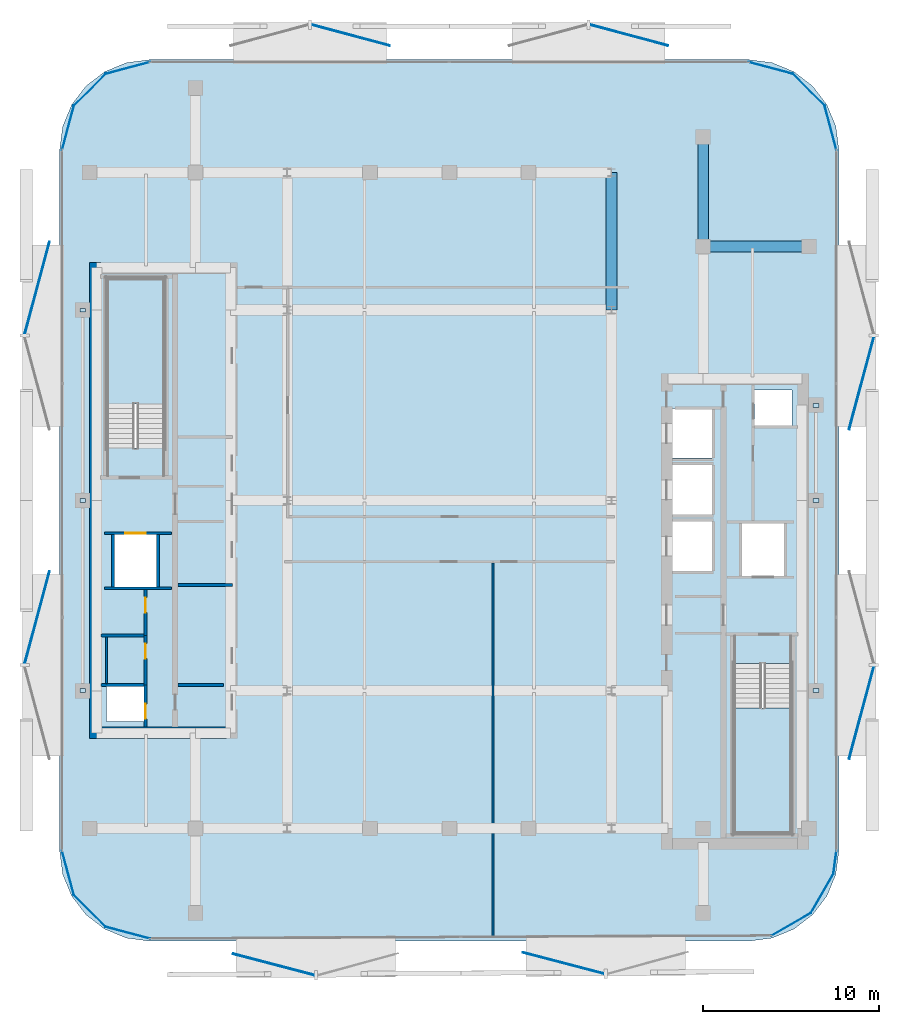
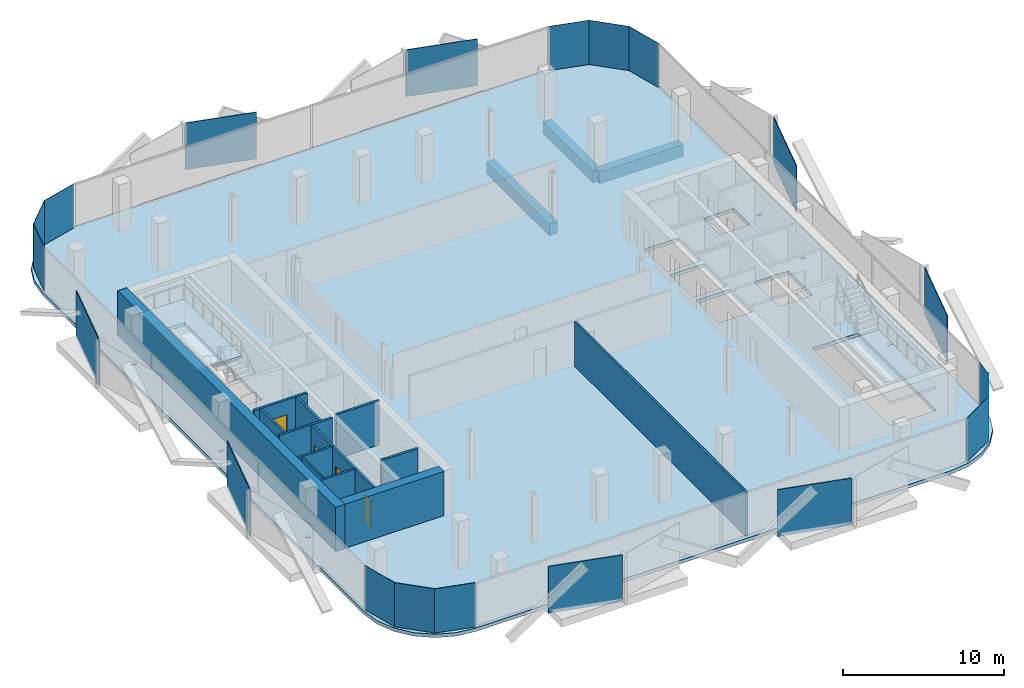
# One storey, part 2 of 11: 26 plates, 15 walls, 4 doors, 3 beams, 3 slabs, 4 openings, 2 elements without a shape of their own.
"""IFC4 building model written with IfcOpenShell, lengths in metres."""

from ifc_helpers import new_model, si_unit, direction, frame, frame_2d, origin, origin_2d, place, context, subcontext, project, spatial, polyline, rectangle, outline, extrude, material, layer, layer_set, material_profile, profile_set, type_object, element, fill, aggregate, save


model = new_model("IFC4")

# Units and contexts
model_context = context("Model", 3, precision=1e-05, world=origin(), true_north=direction((0.0, 1.0)))
body_context = subcontext(model_context, "Body", "Model", "MODEL_VIEW")
ifc_project = project(units=[si_unit("LENGTHUNIT", "METRE"), si_unit("AREAUNIT", "SQUARE_METRE"), si_unit("VOLUMEUNIT", "CUBIC_METRE"), si_unit("PLANEANGLEUNIT", "RADIAN"), si_unit("MASSUNIT", "GRAM", prefix="KILO")], contexts=[model_context])

# Site, building, storey
site_placement = place(None, origin())
site = spatial("IfcSite", under=ifc_project, at=site_placement, CompositionType="ELEMENT")
building_placement = place(site_placement, origin())
building = spatial("IfcBuilding", under=site, at=building_placement, Name="Khairoan Windgate Tower", CompositionType="ELEMENT")
storey_placement = place(building_placement, frame((0.0, 0.0, 222.39990234375)))
storey = spatial("IfcBuildingStorey", under=building, at=storey_placement, Name="L51", CompositionType="ELEMENT", Elevation=222.39990234375)

# Beams
ifc_material_1 = material(Name="Concrete C50/60", Category="concrete")
ifc_material_profile = material_profile(ifc_material_1, rectangle(XDim=0.60009765625, YDim=0.89990234375, at=origin_2d()))
ifc_profile_set = profile_set([ifc_material_profile], Name="Concrete C50/60")
beam_type = type_object("IfcBeamType", Name="Beam B-RC1 RC600x900", PredefinedType="BEAM", material=ifc_profile_set)
beam_1_placement = place(storey_placement, frame((14.39990234375, 14.39990234375, -0.7099609375), z_axis=(1.0, 0.0, 0.0), x_axis=(0.0, 1.0, 0.0)))
element("IfcBeam", 1, at=beam_1_placement, inside=storey, type_object=beam_type, Name="L51 E-W Primary Girder 21", PredefinedType="BEAM", context=body_context, shape_type="SweptSolid", body=[
    extrude(rectangle(XDim=0.60009765625, YDim=0.89990234375, at=origin_2d()), origin(), (0.0, 0.0, 1.0), 6.0),
])
beam_2_placement = place(storey_placement, frame((9.199951171875, 10.800048828125, -0.7099609375), z_axis=(0.0, 1.0, 0.0), x_axis=(-1.0, 0.0, 0.0)))
element("IfcBeam", 2, at=beam_2_placement, inside=storey, type_object=beam_type, Name="L51 N-S Primary Beam 49", PredefinedType="BEAM", context=body_context, shape_type="SweptSolid", body=[
    extrude(rectangle(XDim=0.60009765625, YDim=0.89990234375, at=origin_2d()), origin(), (0.0, 0.0, 1.0), 7.800048828125),
])
beam_3_placement = place(storey_placement, frame((14.39990234375, 14.39990234375, -0.7099609375), z_axis=(0.0, 1.0, 0.0), x_axis=(-1.0, 0.0, 0.0)))
element("IfcBeam", 3, at=beam_3_placement, inside=storey, type_object=beam_type, Name="L51 N-S Primary Beam 53", PredefinedType="BEAM", context=body_context, shape_type="SweptSolid", body=[
    extrude(rectangle(XDim=0.60009765625, YDim=0.89990234375, at=origin_2d()), origin(), (0.0, 0.0, 1.0), 6.2001953125),
])

# Plates
ifc_material_2 = material(Name="Low-E Solar Control Laminated Glass", Category="glass")
ifc_layer_1 = layer(ifc_material_2, 0.030029296875, Name="Low-E Solar Control Laminated Glass")
ifc_layer_set_1 = layer_set([ifc_layer_1], Name="Low-E Solar Control Laminated Glass")
plate_type_1 = type_object("IfcPlateType", Name="Aerodynamic Wind-Corner Curved Glazing Plate", PredefinedType="USERDEFINED", material=ifc_layer_set_1)
plate_1_placement = place(storey_placement, frame((-18.235107421875, -24.527099609375, 0.0), z_axis=(0.0, 0.0, 1.0), x_axis=(-0.966061211211, 0.258313252067, 0.0)))
element("IfcPlate", 4, at=plate_1_placement, inside=storey, type_object=plate_type_1, Name="L51 Aerodynamic Wind-Corner Curved Glazing Panel 2", ObjectType="GLAZING PANEL", PredefinedType="USERDEFINED", context=body_context, shape_type="SweptSolid", body=[
    extrude(rectangle(XDim=2.6162109375, YDim=0.030029296875, at=origin_2d()), origin(), (0.0, 0.0, 1.0), 3.340087890625),
])
plate_2_placement = place(storey_placement, frame((-20.386962890625, -23.286865234375, 0.0), z_axis=(0.0, 0.0, 1.0), x_axis=(-0.707106781187, 0.707106781187, 0.0)))
element("IfcPlate", 5, at=plate_2_placement, inside=storey, type_object=plate_type_1, Name="L51 Aerodynamic Wind-Corner Curved Glazing Panel 3", ObjectType="GLAZING PANEL", PredefinedType="USERDEFINED", context=body_context, shape_type="SweptSolid", body=[
    extrude(rectangle(XDim=2.606689453125, YDim=0.030029296875, at=origin_2d()), origin(), (0.0, 0.0, 1.0), 3.340087890625),
])
for number, where, z_axis, x_axis, name in (
    (6, (-21.627197265625, -21.135009765625, 0.0), (0.0, 0.0, 1.0), (-0.258313252067, 0.966061211211, 0.0), "L51 Aerodynamic Wind-Corner Curved Glazing Panel 4"),
    (7, (-21.627197265625, 21.135009765625, 0.0), (0.0, 0.0, 1.0), (0.258313252067, 0.966061211211, 0.0), "L51 Aerodynamic Wind-Corner Curved Glazing Panel 6"),
):
    element("IfcPlate", number, at=place(storey_placement, frame(where, z_axis=z_axis, x_axis=x_axis)), inside=storey, type_object=plate_type_1, Name=name, ObjectType="GLAZING PANEL", PredefinedType="USERDEFINED", context=body_context, shape_type="SweptSolid", body=[
        extrude(rectangle(XDim=2.6162109375, YDim=0.030029296875, at=origin_2d()), origin(), (0.0, 0.0, 1.0), 3.340087890625),
    ])
plate_3_placement = place(storey_placement, frame((-20.386962890625, 23.286865234375, 0.0), z_axis=(0.0, 0.0, 1.0), x_axis=(0.707106781187, 0.707106781187, 0.0)))
element("IfcPlate", 8, at=plate_3_placement, inside=storey, type_object=plate_type_1, Name="L51 Aerodynamic Wind-Corner Curved Glazing Panel 7", ObjectType="GLAZING PANEL", PredefinedType="USERDEFINED", context=body_context, shape_type="SweptSolid", body=[
    extrude(rectangle(XDim=2.606689453125, YDim=0.030029296875, at=origin_2d()), origin(), (0.0, 0.0, 1.0), 3.340087890625),
])
for number, where, z_axis, x_axis, name in (
    (9, (-18.235107421875, 24.527099609375, 0.0), (0.0, 0.0, 1.0), (0.966061211211, 0.258313252067, 0.0), "L51 Aerodynamic Wind-Corner Curved Glazing Panel 8"),
    (10, (18.235107421875, 24.527099609375, 0.0), (0.0, 0.0, 1.0), (0.966061211211, -0.258313252067, 0.0), "L51 Aerodynamic Wind-Corner Curved Glazing Panel 10"),
):
    element("IfcPlate", number, at=place(storey_placement, frame(where, z_axis=z_axis, x_axis=x_axis)), inside=storey, type_object=plate_type_1, Name=name, ObjectType="GLAZING PANEL", PredefinedType="USERDEFINED", context=body_context, shape_type="SweptSolid", body=[
        extrude(rectangle(XDim=2.6162109375, YDim=0.030029296875, at=origin_2d()), origin(), (0.0, 0.0, 1.0), 3.340087890625),
    ])
plate_4_placement = place(storey_placement, frame((20.386962890625, 23.286865234375, 0.0), z_axis=(0.0, 0.0, 1.0), x_axis=(0.707106781187, -0.707106781187, 0.0)))
element("IfcPlate", 11, at=plate_4_placement, inside=storey, type_object=plate_type_1, Name="L51 Aerodynamic Wind-Corner Curved Glazing Panel 11", ObjectType="GLAZING PANEL", PredefinedType="USERDEFINED", context=body_context, shape_type="SweptSolid", body=[
    extrude(rectangle(XDim=2.606689453125, YDim=0.030029296875, at=origin_2d()), origin(), (0.0, 0.0, 1.0), 3.340087890625),
])
plate_5_placement = place(storey_placement, frame((21.627197265625, 21.135009765625, 0.0), z_axis=(0.0, 0.0, 1.0), x_axis=(0.258313252067, -0.966061211211, 0.0)))
element("IfcPlate", 12, at=plate_5_placement, inside=storey, type_object=plate_type_1, Name="L51 Aerodynamic Wind-Corner Curved Glazing Panel 12", ObjectType="GLAZING PANEL", PredefinedType="USERDEFINED", context=body_context, shape_type="SweptSolid", body=[
    extrude(rectangle(XDim=2.6162109375, YDim=0.030029296875, at=origin_2d()), origin(), (0.0, 0.0, 1.0), 3.340087890625),
])
plate_6_placement = place(storey_placement, frame((21.875, -20.537109375, 0.0), z_axis=(0.0, 0.0, 1.0), x_axis=(-0.13052619222, -0.991444861374, 0.0)))
element("IfcPlate", 13, at=plate_6_placement, inside=storey, type_object=plate_type_1, Name="L51 Aerodynamic Wind-Corner Curved Glazing Panel 14", ObjectType="GLAZING PANEL", PredefinedType="USERDEFINED", context=body_context, shape_type="SweptSolid", body=[
    extrude(rectangle(XDim=1.343994140625, YDim=0.030029296875, at=origin_2d()), origin(), (0.0, 0.0, 1.0), 3.340087890625),
])
for number, where, z_axis, x_axis, name in (
    (14, (21.148193359375, -22.294921875, 0.0), (0.0, 0.0, 1.0), (-0.5, -0.866025403784, 0.0), "L51 Aerodynamic Wind-Corner Curved Glazing Panel 15"),
    (15, (19.39501953125, -24.048095703125, 0.0), (0.0, 0.0, 1.0), (-0.866025403784, -0.5, 0.0), "L51 Aerodynamic Wind-Corner Curved Glazing Panel 16"),
):
    element("IfcPlate", number, at=place(storey_placement, frame(where, z_axis=z_axis, x_axis=x_axis)), inside=storey, type_object=plate_type_1, Name=name, ObjectType="GLAZING PANEL", PredefinedType="USERDEFINED", context=body_context, shape_type="SweptSolid", body=[
        extrude(rectangle(XDim=2.606689453125, YDim=0.030029296875, at=origin_2d()), origin(), (0.0, 0.0, 1.0), 3.340087890625),
    ])
ifc_material_3 = material(Name="Steel S355", Category="steel")
ifc_layer_2 = layer(ifc_material_3, 0.0400390625, Name="Steel S355")
ifc_layer_set_2 = layer_set([ifc_layer_2], Name="Steel S355")
plate_type_2 = type_object("IfcPlateType", Name="Hollow Section End-Cap Plate PL-CAP40", PredefinedType="SHEET", material=ifc_layer_set_2)
for number, where, z_axis, x_axis, name in (
    (16, (-20.800048828125, -10.784912109375, -0.429931640625), (0.0, 0.0, 1.0), (0.0, 1.0, 0.0), "BM-SP-L51-028 steel end-cap plate 1"),
    (17, (-20.800048828125, -0.014892578125, -0.429931640625), (0.0, 0.0, 1.0), (0.0, 1.0, 0.0), "BM-SP-L51-028 steel end-cap plate 2"),
    (18, (-20.800048828125, 10.784912109375, -0.429931640625), (0.0, 0.0, 1.0), (0.0, 1.0, 0.0), "BM-SP-L51-029 steel end-cap plate 2"),
    (19, (20.800048828125, -10.784912109375, -0.429931640625), (0.0, 0.0, 1.0), (0.0, 1.0, 0.0), "BM-SP-L51-057 steel end-cap plate 1"),
    (20, (20.800048828125, -0.014892578125, -0.429931640625), (0.0, 0.0, 1.0), (0.0, 1.0, 0.0), "BM-SP-L51-057 steel end-cap plate 2"),
    (21, (20.800048828125, 5.385009765625, -0.429931640625), (0.0, 0.0, 1.0), (0.0, 1.0, 0.0), "BM-SP-L51-058 steel end-cap plate 2"),
):
    element("IfcPlate", number, at=place(storey_placement, frame(where, z_axis=z_axis, x_axis=x_axis)), inside=storey, type_object=plate_type_2, Name=name, PredefinedType="SHEET", context=body_context, shape_type="SweptSolid", body=[
        extrude(rectangle(XDim=0.219970703125, YDim=0.320068359375, at=origin_2d()), origin(), (0.0, 0.0, 1.0), 0.0400390625),
    ])
ifc_material_4 = material(Name="Anodised Bronze Aluminium 6063-T6", Category="aluminium")
ifc_layer_3 = layer(ifc_material_4, 0.054931640625, Name="Anodised Bronze Aluminium 6063-T6")
ifc_layer_set_3 = layer_set([ifc_layer_3], Name="Anodised Bronze Aluminium 6063-T6")
plate_type_3 = type_object("IfcPlateType", Name="Perforated Bronze Solar Screen Upper Panel BSP-2", PredefinedType="USERDEFINED", material=ifc_layer_set_3)
for number, where, z_axis, x_axis, name in (
    (22, (6.47998046875, -26.25, -0.099853515625), (0.0, 0.0, 1.0), (-0.967179115616, 0.254095569259, 0.0), "L51 Perforated Bronze Solar Screen Panel 337R"),
    (23, (-9.957275390625, -26.3291015625, -0.099853515625), (0.0, 0.0, 1.0), (-0.967179115616, 0.254095569259, 0.0), "L51 Perforated Bronze Solar Screen Panel 338R"),
):
    element("IfcPlate", number, at=place(storey_placement, frame(where, z_axis=z_axis, x_axis=x_axis)), inside=storey, type_object=plate_type_3, Name=name, ObjectType="SCREEN", PredefinedType="USERDEFINED", context=body_context, shape_type="SweptSolid", body=[
        extrude(rectangle(XDim=4.76708984375, YDim=0.054931640625, at=origin_2d()), origin(), (0.0, 0.0, 1.0), 3.5400390625),
    ])
for number, where, z_axis, x_axis, name in (
    (24, (-23.378662109375, -6.6376953125, -0.099853515625), (0.0, 0.0, 1.0), (0.258819045103, 0.965925826289, 0.0), "L51 Perforated Bronze Solar Screen Panel 339R"),
    (25, (-23.378662109375, 12.052978515625, -0.099853515625), (0.0, 0.0, 1.0), (0.258819045103, 0.965925826289, 0.0), "L51 Perforated Bronze Solar Screen Panel 340R"),
):
    element("IfcPlate", number, at=place(storey_placement, frame(where, z_axis=z_axis, x_axis=x_axis)), inside=storey, type_object=plate_type_3, Name=name, ObjectType="SCREEN", PredefinedType="USERDEFINED", context=body_context, shape_type="SweptSolid", body=[
        extrude(rectangle(XDim=5.419921875, YDim=0.054931640625, at=origin_2d()), origin(), (0.0, 0.0, 1.0), 3.5400390625),
    ])
for number, where, z_axis, x_axis, name in (
    (26, (-5.593994140625, 26.387451171875, -0.099853515625), (0.0, 0.0, 1.0), (0.965925826289, -0.258819045103, 0.0), "L51 Perforated Bronze Solar Screen Panel 341R"),
    (27, (10.197021484375, 26.387451171875, -0.099853515625), (0.0, 0.0, 1.0), (0.965925826289, -0.258819045103, 0.0), "L51 Perforated Bronze Solar Screen Panel 342R"),
):
    element("IfcPlate", number, at=place(storey_placement, frame(where, z_axis=z_axis, x_axis=x_axis)), inside=storey, type_object=plate_type_3, Name=name, ObjectType="SCREEN", PredefinedType="USERDEFINED", context=body_context, shape_type="SweptSolid", body=[
        extrude(rectangle(XDim=4.5791015625, YDim=0.054931640625, at=origin_2d()), origin(), (0.0, 0.0, 1.0), 3.5400390625),
    ])
for number, where, z_axis, x_axis, name in (
    (28, (23.378662109375, 6.6376953125, -0.099853515625), (0.0, 0.0, 1.0), (-0.258819045103, -0.965925826289, 0.0), "L51 Perforated Bronze Solar Screen Panel 343R"),
    (29, (23.378662109375, -12.052978515625, -0.099853515625), (0.0, 0.0, 1.0), (-0.258819045103, -0.965925826289, 0.0), "L51 Perforated Bronze Solar Screen Panel 344R"),
):
    element("IfcPlate", number, at=place(storey_placement, frame(where, z_axis=z_axis, x_axis=x_axis)), inside=storey, type_object=plate_type_3, Name=name, ObjectType="SCREEN", PredefinedType="USERDEFINED", context=body_context, shape_type="SweptSolid", body=[
        extrude(rectangle(XDim=5.419921875, YDim=0.054931640625, at=origin_2d()), origin(), (0.0, 0.0, 1.0), 3.5400390625),
    ])

# Stair, slab
ifc_material_5 = material(Name="Concrete C40/50", Category="concrete")
stair_type = type_object("IfcStairType", Name="Tower Core Dog-Leg Stair ST-T1 1560mm", PredefinedType="HALF_TURN_STAIR", material=ifc_material_5)
stair_1_placement = place(storey_placement, origin())
stair_1 = element("IfcStair", 30, at=stair_1_placement, inside=storey, type_object=stair_type, Name="L51 Stair ST1", PredefinedType="HALF_TURN_STAIR")
ifc_material_6 = material(Name="Concrete C40/50", Category="concrete")
ifc_layer_4 = layer(ifc_material_6, 0.199951171875, Name="Concrete C40/50")
ifc_layer_set_4 = layer_set([ifc_layer_4], Name="Concrete C40/50")
slab_type_1 = type_object("IfcSlabType", Name="Reinforced Concrete Stair Landing Slab STL-200", PredefinedType="LANDING", material=ifc_layer_set_4)
slab_1_placement = place(storey_placement, frame((0.0, 0.0, 1.60009765625)))
slab_1 = element("IfcSlab", 31, at=slab_1_placement, type_object=slab_type_1, Name="ST1 landing 1", PredefinedType="LANDING", context=body_context, shape_type="SweptSolid", body=[
    extrude(outline(polyline([(16.14990234375, -11.780029296875), (16.14990234375, -18.89990234375), (19.419921875, -18.89990234375), (19.419921875, -11.780029296875), (16.14990234375, -11.780029296875)])), origin(), (0.0, 0.0, 1.0), 0.199951171875),
])
aggregate(stair_1, [slab_1])

stair_2_placement = place(storey_placement, origin())
stair_2 = element("IfcStair", 32, at=stair_2_placement, inside=storey, type_object=stair_type, Name="L51 Stair ST2", PredefinedType="HALF_TURN_STAIR")
slab_2_placement = place(storey_placement, frame((0.0, 0.0, 1.60009765625)))
slab_2 = element("IfcSlab", 33, at=slab_2_placement, type_object=slab_type_1, Name="ST2 landing 1", PredefinedType="LANDING", context=body_context, shape_type="SweptSolid", body=[
    extrude(outline(polyline([(-16.14990234375, 5.47998046875), (-16.14990234375, 12.60009765625), (-19.419921875, 12.60009765625), (-19.419921875, 5.47998046875), (-16.14990234375, 5.47998046875)])), origin(), (0.0, 0.0, 1.0), 0.199951171875),
])
aggregate(stair_2, [slab_2])

# Slab
ifc_material_7 = material(Name="Concrete C40/50", Category="concrete")
ifc_layer_5 = layer(ifc_material_7, 0.260009765625, Name="Concrete C40/50")
ifc_layer_set_5 = layer_set([ifc_layer_5], Name="Concrete C40/50")
slab_type_2 = type_object("IfcSlabType", Name="Tower Composite Floor Slab FS2 260mm", PredefinedType="FLOOR", material=ifc_layer_set_5)
slab_3_placement = place(storey_placement, frame((0.0, 0.0, -0.260009765625)))
element("IfcSlab", 34, at=slab_3_placement, inside=storey, type_object=slab_type_2, Name="L51 Structural Floor Slab", PredefinedType="FLOOR", context=body_context, shape_type="SweptSolid", body=[
    extrude(outline(polyline([(17.0, -25.0), (18.320068359375, -24.826171875), (19.550048828125, -24.316650390625), (20.606201171875, -23.506103515625), (21.416748046875, -22.449951171875), (21.92626953125, -21.219970703125), (22.10009765625, -19.89990234375), (22.10009765625, 19.89990234375), (21.92626953125, 21.219970703125), (21.416748046875, 22.449951171875), (20.606201171875, 23.506103515625), (19.550048828125, 24.316650390625), (18.320068359375, 24.826171875), (17.0, 25.0), (-17.0, 25.0), (-18.320068359375, 24.826171875), (-19.550048828125, 24.316650390625), (-20.606201171875, 23.506103515625), (-21.416748046875, 22.449951171875), (-21.92626953125, 21.219970703125), (-22.10009765625, 19.89990234375), (-22.10009765625, -19.89990234375), (-21.92626953125, -21.219970703125), (-21.416748046875, -22.449951171875), (-20.606201171875, -23.506103515625), (-19.550048828125, -24.316650390625), (-18.320068359375, -24.826171875), (-17.0, -25.0), (17.0, -25.0)]), holes=[polyline([(16.14990234375, -9.260009765625), (16.14990234375, -18.89990234375), (19.419921875, -18.89990234375), (19.419921875, -9.260009765625), (16.14990234375, -9.260009765625)]), polyline([(-16.14990234375, 2.9599609375), (-16.14990234375, 12.60009765625), (-19.419921875, 12.60009765625), (-19.419921875, 2.9599609375), (-16.14990234375, 2.9599609375)]), polyline([(12.5, 2.39990234375), (14.89990234375, 2.39990234375), (14.89990234375, 5.199951171875), (12.5, 5.199951171875), (12.5, 2.39990234375)]), polyline([(12.5, -0.800048828125), (14.89990234375, -0.800048828125), (14.89990234375, 2.0), (12.5, 2.0), (12.5, -0.800048828125)]), polyline([(12.5, -4.0), (14.89990234375, -4.0), (14.89990234375, -1.199951171875), (12.5, -1.199951171875), (12.5, -4.0)]), polyline([(16.60009765625, -4.300048828125), (19.0, -4.300048828125), (19.0, -1.300048828125), (16.60009765625, -1.300048828125), (16.60009765625, -4.300048828125)]), polyline([(-19.0, -4.89990234375), (-16.60009765625, -4.89990234375), (-16.60009765625, -1.89990234375), (-19.0, -1.89990234375), (-19.0, -4.89990234375)]), polyline([(-19.449951171875, -12.550048828125), (-17.31005859375, -12.550048828125), (-17.31005859375, -10.550048828125), (-19.449951171875, -10.550048828125), (-19.449951171875, -12.550048828125)]), polyline([(17.31005859375, 4.25), (19.449951171875, 4.25), (19.449951171875, 6.25), (17.31005859375, 6.25), (17.31005859375, 4.25)])]), origin(), (0.0, 0.0, 1.0), 0.260009765625),
])

# Wall
ifc_material_8 = material(Name="Moisture-Resistant Gypsum Partition", Category="gypsum")
ifc_layer_6 = layer(ifc_material_8, 0.10009765625, Name="Moisture-Resistant Gypsum Partition")
ifc_layer_set_6 = layer_set([ifc_layer_6], Name="Moisture-Resistant Gypsum Partition")
wall_type_1 = type_object("IfcWallType", Name="Bathroom Wet-Area Partition Wall", PredefinedType="PARTITIONING", material=ifc_layer_set_6)
wall_1_placement = place(storey_placement, frame((-19.449951171875, -10.389892578125, 0.0), z_axis=(0.0, 0.0, 1.0), x_axis=(0.0, 1.0, 0.0)))
element("IfcWall", 35, at=wall_1_placement, inside=storey, type_object=wall_type_1, Name="L51 Wet Room Side Wall 018", PredefinedType="PARTITIONING", context=body_context, shape_type="SweptSolid", body=[
    extrude(rectangle(XDim=2.639892578125, YDim=0.10009765625, at=frame_2d((1.31982421875, 0.0))), origin(), (0.0, 0.0, 1.0), 3.340087890625),
])

# Wall, opening, door
ifc_material_9 = material(Name="Concrete C40/50", Category="concrete")
ifc_layer_7 = layer(ifc_material_9, 0.159912109375, Name="Concrete C40/50")
ifc_layer_set_7 = layer_set([ifc_layer_7], Name="Concrete C40/50")
wall_type_2 = type_object("IfcWallType", Name="Core and Hoistway Enclosure Wall", PredefinedType="STANDARD", material=ifc_layer_set_7)
wall_2_placement = place(storey_placement, frame((-19.550048828125, -1.860107421875, 0.0), z_axis=(0.0, 0.0, 1.0), x_axis=(1.0, 0.0, 0.0)))
wall_2 = element("IfcWall", 36, at=wall_2_placement, inside=storey, type_object=wall_type_2, Name="L51 Core Shaft Wall SW-FL2-L51", PredefinedType="STANDARD", context=body_context, shape_type="SweptSolid", body=[
    extrude(rectangle(XDim=3.800048828125, YDim=0.159912109375, at=frame_2d((1.89990234375, 0.0))), origin(), (0.0, 0.0, 1.0), 3.340087890625),
])
opening_1_placement = place(wall_2_placement, frame((1.179931640625, 0.0, 0.0)))
opening_1 = element("IfcOpeningElement", 37, at=opening_1_placement, cuts=wall_2, Name="Opening LD-FL", PredefinedType="OPENING", context=body_context, shape_type="SweptSolid", body=[
    extrude(rectangle(XDim=1.14990234375, YDim=2.199951171875, at=frame_2d((0.574951171875, 1.10009765625))), frame((0.0, 0.08984375, 0.0), z_axis=(0.0, -1.0, 0.0), x_axis=(1.0, 0.0, 0.0)), (0.0, 0.0, 1.0), 0.179931640625),
])
ifc_material_10 = material(Name="Steel S355", Category="steel")
door_type_1 = type_object("IfcDoorType", Name="Firefighting Lift Sliding Landing Door LD-FL 1150x2200", OperationType="DOUBLE_DOOR_SLIDING", PredefinedType="DOOR", material=ifc_material_10)
door_1_placement = place(opening_1_placement, origin())
door_1 = element("IfcDoor", 38, at=door_1_placement, inside=storey, type_object=door_type_1, Name="L51 Firefighting Lift FL2 Landing Door", OperationType="DOUBLE_DOOR_SLIDING", OverallHeight=2.199951171875, OverallWidth=1.14990234375, PredefinedType="DOOR", context=body_context, shape_type="SweptSolid", body=[
    extrude(rectangle(XDim=1.14990234375, YDim=2.199951171875, at=frame_2d((0.574951171875, 1.10009765625))), frame((0.0, 0.02490234375, 0.0), z_axis=(0.0, -1.0, 0.0), x_axis=(1.0, 0.0, 0.0)), (0.0, 0.0, 1.0), 0.050048828125),
])
fill(opening_1, door_1)

# Walls
wall_3_placement = place(storey_placement, frame((-19.550048828125, -4.97998046875, 0.0), z_axis=(0.0, 0.0, 1.0), x_axis=(1.0, 0.0, 0.0)))
element("IfcWall", 39, at=wall_3_placement, inside=storey, type_object=wall_type_2, Name="L51 Core Shaft Wall SW-FL2B-L51", PredefinedType="STANDARD", context=body_context, shape_type="SweptSolid", body=[
    extrude(rectangle(XDim=3.800048828125, YDim=0.159912109375, at=frame_2d((1.89990234375, 0.0))), origin(), (0.0, 0.0, 1.0), 3.340087890625),
])
for number, where, z_axis, x_axis, name in (
    (40, (-19.080078125, -4.89990234375, 0.0), (0.0, 0.0, 1.0), (0.0, 1.0, 0.0), "L51 Core Shaft Wall SW-FL2W-L51"),
    (41, (-16.52001953125, -4.89990234375, 0.0), (0.0, 0.0, 1.0), (0.0, 1.0, 0.0), "L51 Core Shaft Wall SW-FL2E-L51"),
):
    element("IfcWall", number, at=place(storey_placement, frame(where, z_axis=z_axis, x_axis=x_axis)), inside=storey, type_object=wall_type_2, Name=name, PredefinedType="STANDARD", context=body_context, shape_type="SweptSolid", body=[
        extrude(rectangle(XDim=2.9599609375, YDim=0.159912109375, at=frame_2d((1.47998046875, 0.0))), origin(), (0.0, 0.0, 1.0), 3.340087890625),
    ])
wall_4_placement = place(storey_placement, frame((-15.39990234375, -10.47998046875, 0.0), z_axis=(0.0, 0.0, 1.0), x_axis=(1.0, 0.0, 0.0)))
element("IfcWall", 42, at=wall_4_placement, inside=storey, type_object=wall_type_2, Name="L51 Core Shaft Wall SW-WSV-L51", PredefinedType="STANDARD", context=body_context, shape_type="SweptSolid", body=[
    extrude(rectangle(XDim=2.599853515625, YDim=0.159912109375, at=frame_2d((1.2998046875, 0.0))), origin(), (0.0, 0.0, 1.0), 3.340087890625),
])
ifc_material_11 = material(Name="Acoustic Fire-Rated Gypsum Partition", Category="gypsum")
ifc_layer_8 = layer(ifc_material_11, 0.139892578125, Name="Acoustic Fire-Rated Gypsum Partition")
ifc_layer_set_8 = layer_set([ifc_layer_8], Name="Acoustic Fire-Rated Gypsum Partition")
wall_type_3 = type_object("IfcWallType", Name="Inter-Tenancy Compartment Wall", PredefinedType="PARTITIONING", material=ifc_layer_set_8)
wall_5_placement = place(storey_placement, frame((2.47998046875, -24.760986328125, 0.0), z_axis=(0.0, 0.0, 1.0), x_axis=(0.0, 1.0, 0.0)))
element("IfcWall", 43, at=wall_5_placement, inside=storey, type_object=wall_type_3, Name="L51 Interior Partition 017", PredefinedType="PARTITIONING", context=body_context, shape_type="SweptSolid", body=[
    extrude(rectangle(XDim=21.2060546875, YDim=0.139892578125, at=frame_2d((10.60302734375, 0.0))), origin(), (0.0, 0.0, 1.0), 3.340087890625),
])

# Wall, opening, door
ifc_material_12 = material(Name="Concrete C40/50", Category="concrete")
ifc_layer_9 = layer(ifc_material_12, 0.159912109375, Name="Concrete C40/50")
ifc_layer_set_9 = layer_set([ifc_layer_9], Name="Concrete C40/50")
wall_type_4 = type_object("IfcWallType", Name="Plant and Refuge Compartment Wall", PredefinedType="PARTITIONING", material=ifc_layer_set_9)
wall_6_placement = place(storey_placement, frame((-17.22998046875, -12.85009765625, 0.0), z_axis=(0.0, 0.0, 1.0), x_axis=(0.0, 1.0, 0.0)))
wall_6 = element("IfcWall", 44, at=wall_6_placement, inside=storey, type_object=wall_type_4, Name="L51 Interior Partition 001", PredefinedType="PARTITIONING", context=body_context, shape_type="SweptSolid", body=[
    extrude(rectangle(XDim=2.380126953125, YDim=0.159912109375, at=frame_2d((1.18994140625, 0.0))), origin(), (0.0, 0.0, 1.0), 3.340087890625),
])
opening_2_placement = place(wall_6_placement, frame((0.4599609375, 0.0, 0.0)))
opening_2 = element("IfcOpeningElement", 45, at=opening_2_placement, cuts=wall_6, Name="Opening FD-SRV", PredefinedType="OPENING", context=body_context, shape_type="SweptSolid", body=[
    extrude(rectangle(XDim=0.85009765625, YDim=2.10009765625, at=frame_2d((0.425048828125, 1.050048828125))), frame((0.0, 0.08984375, 0.0), z_axis=(0.0, -1.0, 0.0), x_axis=(1.0, 0.0, 0.0)), (0.0, 0.0, 1.0), 0.179931640625),
])
ifc_material_13 = material(Name="Steel S355", Category="steel")
door_type_2 = type_object("IfcDoorType", Name="Core Service and Riser Fire Door FD-SRV 850x2100", OperationType="NOTDEFINED", PredefinedType="DOOR", material=ifc_material_13)
door_2_placement = place(opening_2_placement, origin())
door_2 = element("IfcDoor", 46, at=door_2_placement, inside=storey, type_object=door_type_2, Name="L51 L51-04-L51-05 Door", OperationType="SINGLE_SWING_RIGHT", OverallHeight=2.10009765625, OverallWidth=0.85009765625, PredefinedType="DOOR", context=body_context, shape_type="SweptSolid", body=[
    extrude(rectangle(XDim=0.85009765625, YDim=2.10009765625, at=frame_2d((0.425048828125, 1.050048828125))), frame((0.0, 0.02490234375, 0.0), z_axis=(0.0, -1.0, 0.0), x_axis=(1.0, 0.0, 0.0)), (0.0, 0.0, 1.0), 0.050048828125),
])
fill(opening_2, door_2)

wall_7_placement = place(storey_placement, frame((-17.22998046875, -10.469970703125, 0.0), z_axis=(0.0, 0.0, 1.0), x_axis=(0.0, 1.0, 0.0)))
wall_7 = element("IfcWall", 47, at=wall_7_placement, inside=storey, type_object=wall_type_4, Name="L51 Interior Partition 002", PredefinedType="PARTITIONING", context=body_context, shape_type="SweptSolid", body=[
    extrude(rectangle(XDim=2.800048828125, YDim=0.159912109375, at=frame_2d((1.39990234375, 0.0))), origin(), (0.0, 0.0, 1.0), 3.340087890625),
])
opening_3_placement = place(wall_7_placement, frame((1.489990234375, 0.0, 0.0)))
opening_3 = element("IfcOpeningElement", 48, at=opening_3_placement, cuts=wall_7, Name="Opening FD-SRV", PredefinedType="OPENING", context=body_context, shape_type="SweptSolid", body=[
    extrude(rectangle(XDim=0.85009765625, YDim=2.10009765625, at=frame_2d((0.425048828125, 1.050048828125))), frame((0.0, 0.08984375, 0.0), z_axis=(0.0, -1.0, 0.0), x_axis=(1.0, 0.0, 0.0)), (0.0, 0.0, 1.0), 0.179931640625),
])
door_3_placement = place(opening_3_placement, origin())
door_3 = element("IfcDoor", 49, at=door_3_placement, inside=storey, type_object=door_type_2, Name="L51 L51-04-L51-06 Door", OperationType="SINGLE_SWING_LEFT", OverallHeight=2.10009765625, OverallWidth=0.85009765625, PredefinedType="DOOR", context=body_context, shape_type="SweptSolid", body=[
    extrude(rectangle(XDim=0.85009765625, YDim=2.10009765625, at=frame_2d((0.425048828125, 1.050048828125))), frame((0.0, 0.02490234375, 0.0), z_axis=(0.0, -1.0, 0.0), x_axis=(1.0, 0.0, 0.0)), (0.0, 0.0, 1.0), 0.050048828125),
])
fill(opening_3, door_3)

wall_8_placement = place(storey_placement, frame((-17.22998046875, -7.669921875, 0.0), z_axis=(0.0, 0.0, 1.0), x_axis=(0.0, 1.0, 0.0)))
wall_8 = element("IfcWall", 50, at=wall_8_placement, inside=storey, type_object=wall_type_4, Name="L51 Interior Partition 003", PredefinedType="PARTITIONING", context=body_context, shape_type="SweptSolid", body=[
    extrude(rectangle(XDim=2.60986328125, YDim=0.159912109375, at=frame_2d((1.304931640625, 0.0))), origin(), (0.0, 0.0, 1.0), 3.340087890625),
])
opening_4_placement = place(wall_8_placement, frame((1.300048828125, 0.0, 0.0)))
opening_4 = element("IfcOpeningElement", 51, at=opening_4_placement, cuts=wall_8, Name="Opening FD-SRV", PredefinedType="OPENING", context=body_context, shape_type="SweptSolid", body=[
    extrude(rectangle(XDim=0.85009765625, YDim=2.10009765625, at=frame_2d((0.425048828125, 1.050048828125))), frame((0.0, 0.08984375, 0.0), z_axis=(0.0, -1.0, 0.0), x_axis=(1.0, 0.0, 0.0)), (0.0, 0.0, 1.0), 0.179931640625),
])
door_4_placement = place(opening_4_placement, origin())
door_4 = element("IfcDoor", 52, at=door_4_placement, inside=storey, type_object=door_type_2, Name="L51 L51-04-L51-07 Door", OperationType="SINGLE_SWING_RIGHT", OverallHeight=2.10009765625, OverallWidth=0.85009765625, PredefinedType="DOOR", context=body_context, shape_type="SweptSolid", body=[
    extrude(rectangle(XDim=0.85009765625, YDim=2.10009765625, at=frame_2d((0.425048828125, 1.050048828125))), frame((0.0, 0.02490234375, 0.0), z_axis=(0.0, -1.0, 0.0), x_axis=(1.0, 0.0, 0.0)), (0.0, 0.0, 1.0), 0.050048828125),
])
fill(opening_4, door_4)

# Walls
for number, where, z_axis, x_axis, name in (
    (53, (-19.75, -10.469970703125, 0.0), (0.0, 0.0, 1.0), (1.0, 0.0, 0.0), "L51 Interior Partition 004"),
    (54, (-19.75, -7.669921875, 0.0), (0.0, 0.0, 1.0), (1.0, 0.0, 0.0), "L51 Interior Partition 005"),
):
    element("IfcWall", number, at=place(storey_placement, frame(where, z_axis=z_axis, x_axis=x_axis)), inside=storey, type_object=wall_type_4, Name=name, PredefinedType="PARTITIONING", context=body_context, shape_type="SweptSolid", body=[
        extrude(rectangle(XDim=2.43994140625, YDim=0.159912109375, at=frame_2d((1.219970703125, 0.0))), origin(), (0.0, 0.0, 1.0), 3.340087890625),
    ])
wall_9_placement = place(storey_placement, frame((-15.375, -4.800048828125, 0.0), z_axis=(0.0, 0.0, 1.0), x_axis=(1.0, 0.0, 0.0)))
element("IfcWall", 55, at=wall_9_placement, inside=storey, type_object=wall_type_4, Name="L51 Interior Partition 007", PredefinedType="PARTITIONING", context=body_context, shape_type="SweptSolid", body=[
    extrude(rectangle(XDim=3.06494140625, YDim=0.159912109375, at=frame_2d((1.532470703125, 0.0))), origin(), (0.0, 0.0, 1.0), 3.340087890625),
])
ifc_material_14 = material(Name="Concrete C60/75", Category="concrete")
ifc_layer_10 = layer(ifc_material_14, 0.64990234375, Name="Concrete C60/75")
ifc_layer_set_10 = layer_set([ifc_layer_10], Name="Concrete C60/75")
wall_type_5 = type_object("IfcWallType", Name="Shear Wall CW-W2 650mm", PredefinedType="SHEAR", material=ifc_layer_set_10)
wall_10_placement = place(storey_placement, frame((-20.074951171875, -13.5, 0.0), z_axis=(0.0, 0.0, 1.0), x_axis=(0.0, 1.0, 0.0)))
element("IfcWall", 56, at=wall_10_placement, inside=storey, type_object=wall_type_5, Name="W Core West Shear Wall L51", PredefinedType="SHEAR", context=body_context, shape_type="SweptSolid", body=[
    extrude(rectangle(XDim=27.0, YDim=0.64990234375, at=frame_2d((13.5, 0.0))), origin(), (0.0, 0.0, 1.0), 3.340087890625),
])
wall_11_placement = place(storey_placement, frame((-19.75, -13.175048828125, 0.0), z_axis=(0.0, 0.0, 1.0), x_axis=(1.0, 0.0, 0.0)))
element("IfcWall", 57, at=wall_11_placement, inside=storey, type_object=wall_type_5, Name="W Core South Shear Wall L51", PredefinedType="SHEAR", context=body_context, shape_type="SweptSolid", body=[
    extrude(rectangle(XDim=7.10009765625, YDim=0.64990234375, at=frame_2d((3.550048828125, 0.0))), origin(), (0.0, 0.0, 1.0), 3.340087890625),
])

save(model, "model.ifc")
